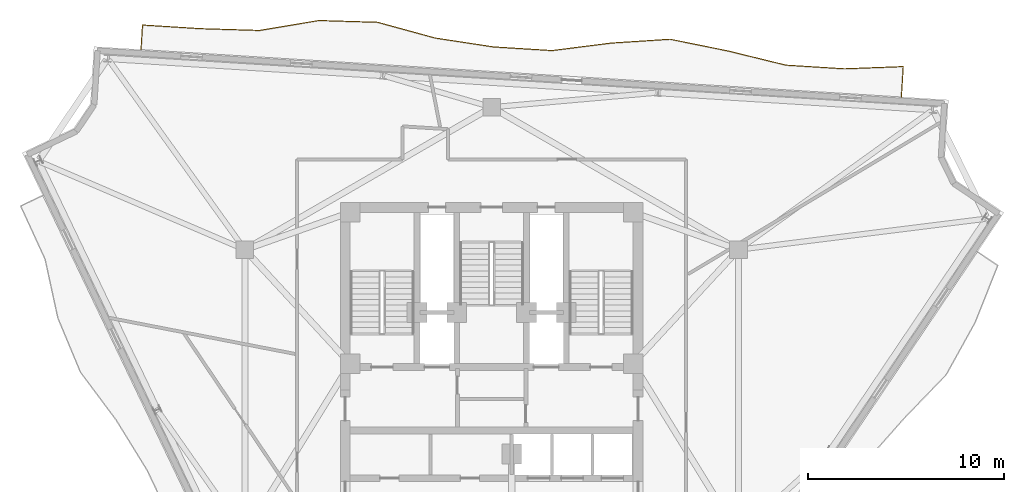
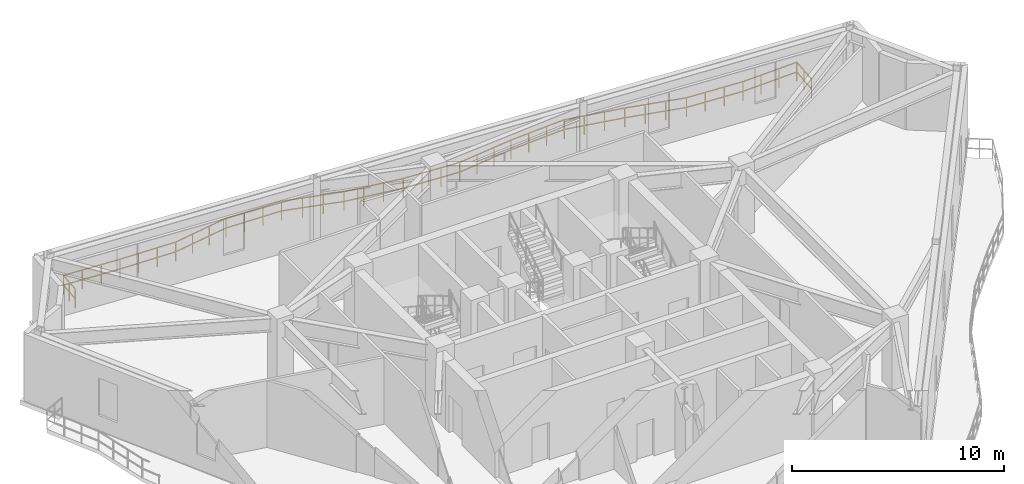
# One storey, part 10 of 10: 1 railing.
"""IFC4 building model written with IfcOpenShell, lengths in metres."""

from ifc_helpers import new_model, si_unit, direction, frame, origin, origin_2d, place, context, subcontext, project, spatial, rectangle, extrude, material, type_object, element, save


model = new_model("IFC4")

# Units and contexts
model_context = context("Model", 3, precision=1e-05, world=origin(), true_north=direction((0.0, 1.0)))
body_context = subcontext(model_context, "Body", "Model", "MODEL_VIEW")
ifc_project = project(units=[si_unit("LENGTHUNIT", "METRE"), si_unit("AREAUNIT", "SQUARE_METRE"), si_unit("VOLUMEUNIT", "CUBIC_METRE"), si_unit("PLANEANGLEUNIT", "RADIAN"), si_unit("MASSUNIT", "GRAM", prefix="KILO")], contexts=[model_context])

# Site, building, storey
site_placement = place(None, origin())
site = spatial("IfcSite", under=ifc_project, at=site_placement, CompositionType="ELEMENT")
building_placement = place(site_placement, origin())
building = spatial("IfcBuilding", under=site, at=building_placement, Name="Apsidion Concourse Tower", CompositionType="ELEMENT")
storey_placement = place(building_placement, frame((0.0, 0.0, 298.300048828125)))
storey = spatial("IfcBuildingStorey", under=building, at=storey_placement, Name="L70", CompositionType="ELEMENT", Elevation=298.300048828125)

# Railing
ifc_material = material(Name="Brushed stainless steel 316", Category="steel")
railing_type = type_object("IfcRailingType", Name="RL-BAL-1120", PredefinedType="BALUSTRADE", material=ifc_material)
railing_placement = place(storey_placement, frame((-17.848388671875, 17.43896484375, 0.0)))
element("IfcRailing", 1, at=railing_placement, inside=storey, type_object=railing_type, Name="L70 Face 3 Rippling Balcony Balustrade", PredefinedType="BALUSTRADE", context=body_context, shape_type="SweptSolid", body=[
    extrude(rectangle(XDim=0.048095703125, YDim=0.048095703125, at=origin_2d()), frame((0.0, 0.0, 1.09619140625), z_axis=(0.062281046505, 0.998058651206, 0.0), x_axis=(-0.998058651206, 0.062281046505, 0.0)), (0.0, 0.0, 1.0), 1.25048828125),
    extrude(rectangle(XDim=0.048095703125, YDim=0.048095703125, at=origin_2d()), frame((0.0, 0.0, 0.5361328125), z_axis=(0.062281046505, 0.998058651206, 0.0), x_axis=(-0.998058651206, 0.062281046505, 0.0)), (0.0, 0.0, 1.0), 1.25048828125),
    extrude(rectangle(XDim=0.048095703125, YDim=0.048095703125, at=origin_2d()), frame((0.077880859375, 1.248046875, 1.09619140625), z_axis=(0.998053533711, -0.06236300063, 0.0), x_axis=(0.06236300063, 0.998053533711, 0.0)), (0.0, 0.0, 1.0), 2.983154296875),
    extrude(rectangle(XDim=0.048095703125, YDim=0.048095703125, at=origin_2d()), frame((0.077880859375, 1.248046875, 0.5361328125), z_axis=(0.998053533711, -0.06236300063, 0.0), x_axis=(0.06236300063, 0.998053533711, 0.0)), (0.0, 0.0, 1.0), 2.983154296875),
    extrude(rectangle(XDim=0.048095703125, YDim=0.048095703125, at=origin_2d()), frame((3.05517578125, 1.06201171875, 1.09619140625), z_axis=(0.999544325755, -0.030185109764, 0.0), x_axis=(0.030185109764, 0.999544325755, 0.0)), (0.0, 0.0, 1.0), 2.984619140625),
    extrude(rectangle(XDim=0.048095703125, YDim=0.048095703125, at=origin_2d()), frame((3.05517578125, 1.06201171875, 0.5361328125), z_axis=(0.999544325755, -0.030185109764, 0.0), x_axis=(0.030185109764, 0.999544325755, 0.0)), (0.0, 0.0, 1.0), 2.984619140625),
    extrude(rectangle(XDim=0.048095703125, YDim=0.048095703125, at=origin_2d()), frame((6.038330078125, 0.971923828125, 1.09619140625), z_axis=(0.986251358023, 0.165252106788, 0.0), x_axis=(-0.165252106788, 0.986251358023, 0.0)), (0.0, 0.0, 1.0), 3.0625),
    extrude(rectangle(XDim=0.048095703125, YDim=0.048095703125, at=origin_2d()), frame((6.038330078125, 0.971923828125, 0.5361328125), z_axis=(0.986251358023, 0.165252106788, 0.0), x_axis=(-0.165252106788, 0.986251358023, 0.0)), (0.0, 0.0, 1.0), 3.0625),
    extrude(rectangle(XDim=0.048095703125, YDim=0.048095703125, at=origin_2d()), frame((9.058837890625, 1.47802734375, 1.09619140625), z_axis=(0.999541854328, -0.030266837393, 0.0), x_axis=(0.030266837393, 0.999541854328, 0.0)), (0.0, 0.0, 1.0), 2.984619140625),
    extrude(rectangle(XDim=0.048095703125, YDim=0.048095703125, at=origin_2d()), frame((9.058837890625, 1.47802734375, 0.5361328125), z_axis=(0.999541854328, -0.030266837393, 0.0), x_axis=(0.030266837393, 0.999541854328, 0.0)), (0.0, 0.0, 1.0), 2.984619140625),
    extrude(rectangle(XDim=0.048095703125, YDim=0.048095703125, at=origin_2d()), frame((12.0419921875, 1.3876953125, 1.09619140625), z_axis=(0.964597191889, -0.263727619715, 0.0), x_axis=(0.263727619715, 0.964597191889, 0.0)), (0.0, 0.0, 1.0), 3.046630859375),
    extrude(rectangle(XDim=0.048095703125, YDim=0.048095703125, at=origin_2d()), frame((12.0419921875, 1.3876953125, 0.5361328125), z_axis=(0.964597191889, -0.263727619715, 0.0), x_axis=(0.263727619715, 0.964597191889, 0.0)), (0.0, 0.0, 1.0), 3.046630859375),
    extrude(rectangle(XDim=0.048095703125, YDim=0.048095703125, at=origin_2d()), frame((14.980712890625, 0.584228515625, 1.09619140625), z_axis=(0.988613565557, -0.15047663605, 0.0), x_axis=(0.15047663605, 0.988613565557, 0.0)), (0.0, 0.0, 1.0), 2.9951171875),
    extrude(rectangle(XDim=0.048095703125, YDim=0.048095703125, at=origin_2d()), frame((14.980712890625, 0.584228515625, 0.5361328125), z_axis=(0.988613565557, -0.15047663605, 0.0), x_axis=(0.15047663605, 0.988613565557, 0.0)), (0.0, 0.0, 1.0), 2.9951171875),
    extrude(rectangle(XDim=0.048095703125, YDim=0.048095703125, at=origin_2d()), frame((17.941650390625, 0.133544921875, 1.09619140625), z_axis=(0.998058624336, -0.062281477091, 0.0), x_axis=(0.062281477091, 0.998058624336, 0.0)), (0.0, 0.0, 1.0), 2.983154296875),
    extrude(rectangle(XDim=0.048095703125, YDim=0.048095703125, at=origin_2d()), frame((17.941650390625, 0.133544921875, 0.5361328125), z_axis=(0.998058624336, -0.062281477091, 0.0), x_axis=(0.062281477091, 0.998058624336, 0.0)), (0.0, 0.0, 1.0), 2.983154296875),
    extrude(rectangle(XDim=0.048095703125, YDim=0.048095703125, at=origin_2d()), frame((20.9189453125, -0.05224609375, 1.09619140625), z_axis=(0.992063681979, 0.125736434248, 0.0), x_axis=(-0.125736434248, 0.992063681979, 0.0)), (0.0, 0.0, 1.0), 3.036865234375),
    extrude(rectangle(XDim=0.048095703125, YDim=0.048095703125, at=origin_2d()), frame((20.9189453125, -0.05224609375, 0.5361328125), z_axis=(0.992063681979, 0.125736434248, 0.0), x_axis=(-0.125736434248, 0.992063681979, 0.0)), (0.0, 0.0, 1.0), 3.036865234375),
    extrude(rectangle(XDim=0.048095703125, YDim=0.048095703125, at=origin_2d()), frame((23.931640625, 0.32958984375, 1.09619140625), z_axis=(0.997899316947, 0.06478389643, 0.0), x_axis=(-0.06478389643, 0.997899316947, 0.0)), (0.0, 0.0, 1.0), 3.00732421875),
    extrude(rectangle(XDim=0.048095703125, YDim=0.048095703125, at=origin_2d()), frame((23.931640625, 0.32958984375, 0.5361328125), z_axis=(0.997899316947, 0.06478389643, 0.0), x_axis=(-0.06478389643, 0.997899316947, 0.0)), (0.0, 0.0, 1.0), 3.00732421875),
    extrude(rectangle(XDim=0.048095703125, YDim=0.048095703125, at=origin_2d()), frame((26.9326171875, 0.5244140625, 1.09619140625), z_axis=(0.980094417088, -0.198531946026, 0.0), x_axis=(0.198531946026, 0.980094417088, 0.0)), (0.0, 0.0, 1.0), 3.01171875),
    extrude(rectangle(XDim=0.048095703125, YDim=0.048095703125, at=origin_2d()), frame((26.9326171875, 0.5244140625, 0.5361328125), z_axis=(0.980094417088, -0.198531946026, 0.0), x_axis=(0.198531946026, 0.980094417088, 0.0)), (0.0, 0.0, 1.0), 3.01171875),
    extrude(rectangle(XDim=0.048095703125, YDim=0.048095703125, at=origin_2d()), frame((29.88427734375, -0.073486328125, 1.09619140625), z_axis=(0.97125969942, -0.238022260058, 0.0), x_axis=(0.238022260058, 0.97125969942, 0.0)), (0.0, 0.0, 1.0), 3.031005859375),
    extrude(rectangle(XDim=0.048095703125, YDim=0.048095703125, at=origin_2d()), frame((29.88427734375, -0.073486328125, 0.5361328125), z_axis=(0.97125969942, -0.238022260058, 0.0), x_axis=(0.238022260058, 0.97125969942, 0.0)), (0.0, 0.0, 1.0), 3.031005859375),
    extrude(rectangle(XDim=0.048095703125, YDim=0.048095703125, at=origin_2d()), frame((32.828125, -0.794921875, 1.09619140625), z_axis=(0.998063708354, -0.062199952304, 0.0), x_axis=(0.062199952304, 0.998063708354, 0.0)), (0.0, 0.0, 1.0), 2.983154296875),
    extrude(rectangle(XDim=0.048095703125, YDim=0.048095703125, at=origin_2d()), frame((32.828125, -0.794921875, 0.5361328125), z_axis=(0.998063708354, -0.062199952304, 0.0), x_axis=(0.062199952304, 0.998063708354, 0.0)), (0.0, 0.0, 1.0), 2.983154296875),
    extrude(rectangle(XDim=0.048095703125, YDim=0.048095703125, at=origin_2d()), frame((35.805419921875, -0.98046875, 1.09619140625), z_axis=(0.999279701524, 0.037948361251, 0.0), x_axis=(-0.037948361251, 0.999279701524, 0.0)), (0.0, 0.0, 1.0), 2.998046875),
    extrude(rectangle(XDim=0.048095703125, YDim=0.048095703125, at=origin_2d()), frame((35.805419921875, -0.98046875, 0.5361328125), z_axis=(0.999279701524, 0.037948361251, 0.0), x_axis=(-0.037948361251, 0.999279701524, 0.0)), (0.0, 0.0, 1.0), 2.998046875),
    extrude(rectangle(XDim=0.048095703125, YDim=0.048095703125, at=origin_2d()), frame((38.80126953125, -0.86669921875, 1.09619140625), z_axis=(-0.062211595103, -0.998062982699, 0.0), x_axis=(0.998062982699, -0.062211595103, 0.0)), (0.0, 0.0, 1.0), 1.550048828125),
    extrude(rectangle(XDim=0.048095703125, YDim=0.048095703125, at=origin_2d()), frame((38.80126953125, -0.86669921875, 0.5361328125), z_axis=(-0.062211595103, -0.998062982699, 0.0), x_axis=(0.998062982699, -0.062211595103, 0.0)), (0.0, 0.0, 1.0), 1.550048828125),
    extrude(rectangle(XDim=0.0419921875, YDim=0.0419921875, at=origin_2d()), origin(), (0.0, 0.0, 1.0), 1.072021484375),
    extrude(rectangle(XDim=0.0419921875, YDim=0.0419921875, at=origin_2d()), frame((0.0390625, 0.6240234375, 0.0)), (0.0, 0.0, 1.0), 1.072021484375),
    extrude(rectangle(XDim=0.0419921875, YDim=0.0419921875, at=origin_2d()), frame((0.077880859375, 1.248046875, 0.0)), (0.0, 0.0, 1.0), 1.072021484375),
    extrude(rectangle(XDim=0.0419921875, YDim=0.0419921875, at=origin_2d()), frame((1.0703125, 1.18603515625, 0.0)), (0.0, 0.0, 1.0), 1.072021484375),
    extrude(rectangle(XDim=0.0419921875, YDim=0.0419921875, at=origin_2d()), frame((2.062744140625, 1.1240234375, 0.0)), (0.0, 0.0, 1.0), 1.072021484375),
    extrude(rectangle(XDim=0.0419921875, YDim=0.0419921875, at=origin_2d()), frame((3.05517578125, 1.06201171875, 0.0)), (0.0, 0.0, 1.0), 1.072021484375),
    extrude(rectangle(XDim=0.0419921875, YDim=0.0419921875, at=origin_2d()), frame((4.049560546875, 1.031982421875, 0.0)), (0.0, 0.0, 1.0), 1.072021484375),
    extrude(rectangle(XDim=0.0419921875, YDim=0.0419921875, at=origin_2d()), frame((5.0439453125, 1.001953125, 0.0)), (0.0, 0.0, 1.0), 1.072021484375),
    extrude(rectangle(XDim=0.0419921875, YDim=0.0419921875, at=origin_2d()), frame((6.038330078125, 0.971923828125, 0.0)), (0.0, 0.0, 1.0), 1.072021484375),
    extrude(rectangle(XDim=0.0419921875, YDim=0.0419921875, at=origin_2d()), frame((7.045166015625, 1.140625, 0.0)), (0.0, 0.0, 1.0), 1.072021484375),
    extrude(rectangle(XDim=0.0419921875, YDim=0.0419921875, at=origin_2d()), frame((8.052001953125, 1.309326171875, 0.0)), (0.0, 0.0, 1.0), 1.072021484375),
    extrude(rectangle(XDim=0.0419921875, YDim=0.0419921875, at=origin_2d()), frame((9.058837890625, 1.47802734375, 0.0)), (0.0, 0.0, 1.0), 1.072021484375),
    extrude(rectangle(XDim=0.0419921875, YDim=0.0419921875, at=origin_2d()), frame((10.05322265625, 1.447998046875, 0.0)), (0.0, 0.0, 1.0), 1.072021484375),
    extrude(rectangle(XDim=0.0419921875, YDim=0.0419921875, at=origin_2d()), frame((11.047607421875, 1.417724609375, 0.0)), (0.0, 0.0, 1.0), 1.072021484375),
    extrude(rectangle(XDim=0.0419921875, YDim=0.0419921875, at=origin_2d()), frame((12.0419921875, 1.3876953125, 0.0)), (0.0, 0.0, 1.0), 1.072021484375),
    extrude(rectangle(XDim=0.0419921875, YDim=0.0419921875, at=origin_2d()), frame((13.021484375, 1.119873046875, 0.0)), (0.0, 0.0, 1.0), 1.072021484375),
    extrude(rectangle(XDim=0.0419921875, YDim=0.0419921875, at=origin_2d()), frame((14.001220703125, 0.85205078125, 0.0)), (0.0, 0.0, 1.0), 1.072021484375),
    extrude(rectangle(XDim=0.0419921875, YDim=0.0419921875, at=origin_2d()), frame((14.980712890625, 0.584228515625, 0.0)), (0.0, 0.0, 1.0), 1.072021484375),
    extrude(rectangle(XDim=0.0419921875, YDim=0.0419921875, at=origin_2d()), frame((15.9677734375, 0.43408203125, 0.0)), (0.0, 0.0, 1.0), 1.072021484375),
    extrude(rectangle(XDim=0.0419921875, YDim=0.0419921875, at=origin_2d()), frame((16.95458984375, 0.28369140625, 0.0)), (0.0, 0.0, 1.0), 1.072021484375),
    extrude(rectangle(XDim=0.0419921875, YDim=0.0419921875, at=origin_2d()), frame((17.941650390625, 0.133544921875, 0.0)), (0.0, 0.0, 1.0), 1.072021484375),
    extrude(rectangle(XDim=0.0419921875, YDim=0.0419921875, at=origin_2d()), frame((18.93408203125, 0.071533203125, 0.0)), (0.0, 0.0, 1.0), 1.072021484375),
    extrude(rectangle(XDim=0.0419921875, YDim=0.0419921875, at=origin_2d()), frame((19.926513671875, 0.009765625, 0.0)), (0.0, 0.0, 1.0), 1.072021484375),
    extrude(rectangle(XDim=0.0419921875, YDim=0.0419921875, at=origin_2d()), frame((20.9189453125, -0.05224609375, 0.0)), (0.0, 0.0, 1.0), 1.072021484375),
    extrude(rectangle(XDim=0.0419921875, YDim=0.0419921875, at=origin_2d()), frame((21.923095703125, 0.074951171875, 0.0)), (0.0, 0.0, 1.0), 1.072021484375),
    extrude(rectangle(XDim=0.0419921875, YDim=0.0419921875, at=origin_2d()), frame((22.927490234375, 0.202392578125, 0.0)), (0.0, 0.0, 1.0), 1.072021484375),
    extrude(rectangle(XDim=0.0419921875, YDim=0.0419921875, at=origin_2d()), frame((23.931640625, 0.32958984375, 0.0)), (0.0, 0.0, 1.0), 1.072021484375),
    extrude(rectangle(XDim=0.0419921875, YDim=0.0419921875, at=origin_2d()), frame((24.931884765625, 0.39453125, 0.0)), (0.0, 0.0, 1.0), 1.072021484375),
    extrude(rectangle(XDim=0.0419921875, YDim=0.0419921875, at=origin_2d()), frame((25.932373046875, 0.45947265625, 0.0)), (0.0, 0.0, 1.0), 1.072021484375),
    extrude(rectangle(XDim=0.0419921875, YDim=0.0419921875, at=origin_2d()), frame((26.9326171875, 0.5244140625, 0.0)), (0.0, 0.0, 1.0), 1.072021484375),
    extrude(rectangle(XDim=0.0419921875, YDim=0.0419921875, at=origin_2d()), frame((27.91650390625, 0.3251953125, 0.0)), (0.0, 0.0, 1.0), 1.072021484375),
    extrude(rectangle(XDim=0.0419921875, YDim=0.0419921875, at=origin_2d()), frame((28.900390625, 0.125732421875, 0.0)), (0.0, 0.0, 1.0), 1.072021484375),
    extrude(rectangle(XDim=0.0419921875, YDim=0.0419921875, at=origin_2d()), frame((29.88427734375, -0.073486328125, 0.0)), (0.0, 0.0, 1.0), 1.072021484375),
    extrude(rectangle(XDim=0.0419921875, YDim=0.0419921875, at=origin_2d()), frame((30.865478515625, -0.31396484375, 0.0)), (0.0, 0.0, 1.0), 1.072021484375),
    extrude(rectangle(XDim=0.0419921875, YDim=0.0419921875, at=origin_2d()), frame((31.846923828125, -0.554443359375, 0.0)), (0.0, 0.0, 1.0), 1.072021484375),
    extrude(rectangle(XDim=0.0419921875, YDim=0.0419921875, at=origin_2d()), frame((32.828125, -0.794921875, 0.0)), (0.0, 0.0, 1.0), 1.072021484375),
    extrude(rectangle(XDim=0.0419921875, YDim=0.0419921875, at=origin_2d()), frame((33.820556640625, -0.856689453125, 0.0)), (0.0, 0.0, 1.0), 1.072021484375),
    extrude(rectangle(XDim=0.0419921875, YDim=0.0419921875, at=origin_2d()), frame((34.81298828125, -0.918701171875, 0.0)), (0.0, 0.0, 1.0), 1.072021484375),
    extrude(rectangle(XDim=0.0419921875, YDim=0.0419921875, at=origin_2d()), frame((35.805419921875, -0.98046875, 0.0)), (0.0, 0.0, 1.0), 1.072021484375),
    extrude(rectangle(XDim=0.0419921875, YDim=0.0419921875, at=origin_2d()), frame((36.803955078125, -0.942626953125, 0.0)), (0.0, 0.0, 1.0), 1.072021484375),
    extrude(rectangle(XDim=0.0419921875, YDim=0.0419921875, at=origin_2d()), frame((37.802734375, -0.904541015625, 0.0)), (0.0, 0.0, 1.0), 1.072021484375),
    extrude(rectangle(XDim=0.0419921875, YDim=0.0419921875, at=origin_2d()), frame((38.80126953125, -0.86669921875, 0.0)), (0.0, 0.0, 1.0), 1.072021484375),
    extrude(rectangle(XDim=0.0419921875, YDim=0.0419921875, at=origin_2d()), frame((38.7529296875, -1.64013671875, 0.0)), (0.0, 0.0, 1.0), 1.072021484375),
    extrude(rectangle(XDim=0.0419921875, YDim=0.0419921875, at=origin_2d()), frame((38.704833984375, -2.413818359375, 0.0)), (0.0, 0.0, 1.0), 1.072021484375),
])

save(model, "model.ifc")
